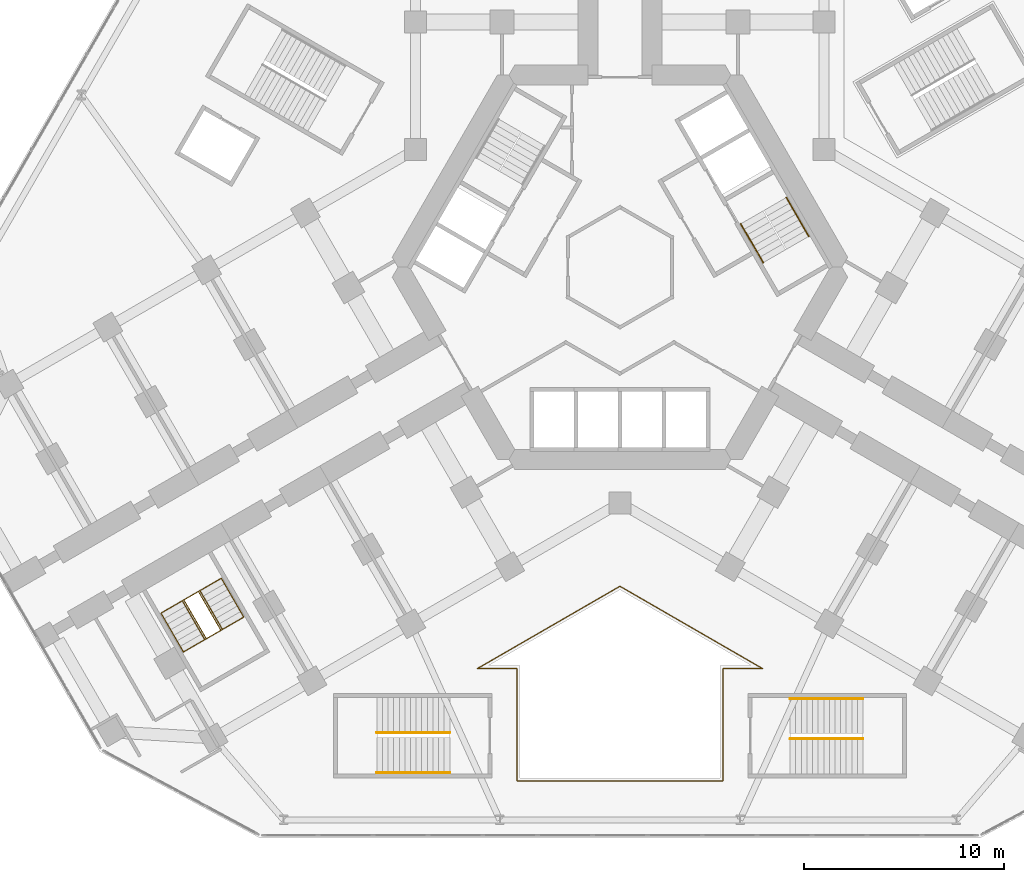
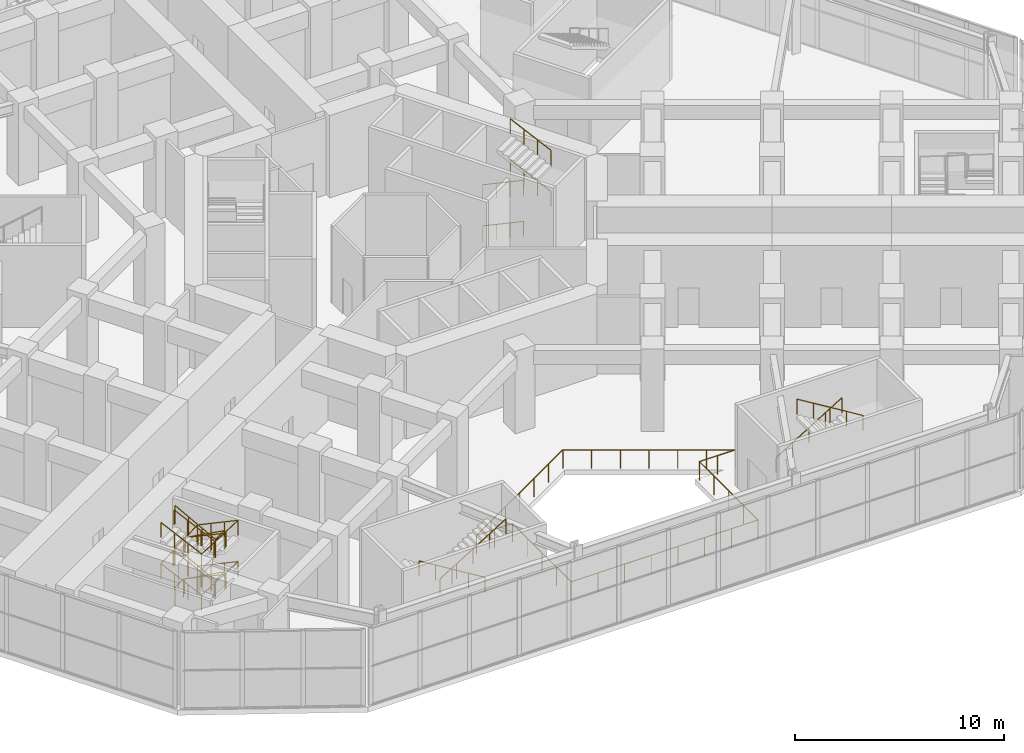
# One storey, part 20 of 22: 12 railings.
"""IFC4 building model written with IfcOpenShell, lengths in metres."""

import ifcopenshell
import ifcopenshell.guid

model = None  # the IFC model being written
_history = None  # IfcOwnerHistory: only IFC2X3 demands one
_inside = {}  # id of a spatial element -> (the spatial element, [elements in it])
_under = {}  # id of a project, library or spatial element -> (it, [spatial elements below it])
_declared = {}  # id of a project -> (the project, [libraries it declares])
_typed = {}  # id of a type object -> (the type object, [elements of that type])
_made_of = {}  # id of a material, layer set ... -> (it, [elements and type objects made of it])


def new_model(schema):
    """Start an empty IFC model of exactly this schema.

    Asked for "IFC4X3", IfcOpenShell would pick the latest addendum, in which some entities
    have other attributes; the version numbers below select the first issue.
    IFC2X3 requires an IfcOwnerHistory on every rooted entity: one is made here for all.
    """
    global model, _history
    if schema == "IFC4X3":
        model = ifcopenshell.file(schema_version=(4, 3, 0, 0))
    else:
        model = ifcopenshell.file(schema=schema)
    _inside.clear()
    _under.clear()
    _declared.clear()
    _typed.clear()
    _made_of.clear()
    _history = None
    if model.schema == "IFC2X3":
        org = make("IfcOrganization", Name="unknown")
        user = make(
            "IfcPersonAndOrganization",
            ThePerson=make("IfcPerson", FamilyName="unknown"),
            TheOrganization=org,
        )
        app = make(
            "IfcApplication",
            ApplicationDeveloper=org,
            Version="unknown",
            ApplicationFullName="unknown",
            ApplicationIdentifier="unknown",
        )
        _history = make(
            "IfcOwnerHistory",
            OwningUser=user,
            OwningApplication=app,
            ChangeAction="ADDED",
            CreationDate=0,
        )
    return model


def make(cls, **values):
    """One entity of the class cls with the attributes given. An attribute that is None is left unset."""
    return model.create_entity(
        cls, **{name: value for name, value in values.items() if value is not None}
    )


def rooted(cls, **values):
    """An entity with a GlobalId (a new one), such as an element, a storey or a relation."""
    return make(cls, GlobalId=ifcopenshell.guid.new(), OwnerHistory=_history, **values)


def si_unit(unit_type, name, prefix=None):
    """IfcSIUnit, for example si_unit("LENGTHUNIT", "METRE", prefix="MILLI")."""
    return make("IfcSIUnit", UnitType=unit_type, Prefix=prefix, Name=name)


def assignment(units):
    """IfcUnitAssignment: the units of a project."""
    return None if units is None else make("IfcUnitAssignment", Units=units)


def point(xyz):
    """IfcCartesianPoint."""
    return None if xyz is None else make("IfcCartesianPoint", Coordinates=xyz)


def direction(xyz):
    """IfcDirection."""
    return None if xyz is None else make("IfcDirection", DirectionRatios=xyz)


def frame(location, z_axis=None, x_axis=None):
    """IfcAxis2Placement3D, a coordinate frame: its origin and axes. An axis left out is left unset."""
    return make(
        "IfcAxis2Placement3D",
        Location=point(location),
        Axis=direction(z_axis),
        RefDirection=direction(x_axis),
    )


def frame_2d(location, x_axis=None):
    """IfcAxis2Placement2D, a coordinate frame in the plane: its origin and x axis."""
    return make(
        "IfcAxis2Placement2D", Location=point(location), RefDirection=direction(x_axis)
    )


def origin():
    """The frame at (0, 0, 0) with its axes left unset."""
    return frame((0.0, 0.0, 0.0))


def origin_2d():
    """The frame at (0, 0) in the plane with its x axis left unset."""
    return frame_2d((0.0, 0.0))


def place(relative_to, where):
    """IfcLocalPlacement: puts the frame where relative to a parent placement (None: the world)."""
    return make(
        "IfcLocalPlacement", PlacementRelTo=relative_to, RelativePlacement=where
    )


def context(
    kind, dimensions, precision=None, world=None, true_north=None, identifier=None
):
    """IfcGeometricRepresentationContext, for example the 3D "Model" context."""
    return make(
        "IfcGeometricRepresentationContext",
        ContextIdentifier=identifier,
        ContextType=kind,
        CoordinateSpaceDimension=dimensions,
        Precision=precision,
        WorldCoordinateSystem=world,
        TrueNorth=true_north,
    )


def subcontext(parent, identifier, kind, view, scale=None):
    """IfcGeometricRepresentationSubContext, for example "Body" below "Model"."""
    return make(
        "IfcGeometricRepresentationSubContext",
        ContextIdentifier=identifier,
        ContextType=kind,
        ParentContext=parent,
        TargetScale=scale,
        TargetView=view,
    )


def project(units=None, contexts=None):
    """IfcProject with its units and contexts."""
    return rooted(
        "IfcProject",
        Name="project",
        RepresentationContexts=contexts,
        UnitsInContext=assignment(units),
    )


def spatial(cls, under=None, at=None, **own):
    """A site, building, storey or space (cls), placed at a placement, below another one or the project."""
    s = rooted(cls, ObjectPlacement=at, **own)
    if under is not None:
        _under.setdefault(under.id(), (under, []))[1].append(s)
    return s


def profile(cls, at=None, kind="AREA", **sizes):
    """A parametric profile (cls). Its sizes go by their IFC names, for example OverallWidth=200.0."""
    return make(cls, ProfileType=kind, Position=at, **sizes)


def circle(**sizes):
    """IfcCircleProfileDef."""
    return profile("IfcCircleProfileDef", **sizes)


def extrude(swept, where, along, depth):
    """IfcExtrudedAreaSolid: the profile swept, set in the frame where, extruded along a direction by depth."""
    return make(
        "IfcExtrudedAreaSolid",
        SweptArea=swept,
        Position=where,
        ExtrudedDirection=direction(along),
        Depth=depth,
    )


def shape(context_of_items, identifier, shape_type, items):
    """IfcShapeRepresentation: the items that make up one representation, for example the "Body"."""
    return make(
        "IfcShapeRepresentation",
        ContextOfItems=context_of_items,
        RepresentationIdentifier=identifier,
        RepresentationType=shape_type,
        Items=items,
    )


def material(Name=None, Category=None):
    """IfcMaterial."""
    return make("IfcMaterial", Name=Name, Category=Category)


def made_of(thing, what):
    """Note that an element or type object is made of a material, layer set ...; save() writes the relation."""
    if what is not None:
        _made_of.setdefault(what.id(), (what, []))[1].append(thing)
    return thing


def type_object(cls, material=None, **own):
    """A type object (cls), such as IfcWallType, which elements share."""
    return made_of(rooted(cls, **own), material)


def element(
    cls,
    number,
    at=None,
    inside=None,
    cuts=None,
    type_object=None,
    material=None,
    context=None,
    identifier="Body",
    shape_type=None,
    held_by="IfcProductDefinitionShape",
    body=None,
    shapes=None,
    **own,
):
    """One element of the class cls, such as IfcWall. Its Tag is "e" and its number.

    at: its placement. inside: the storey or other place that contains it. cuts: it is an
    opening in that element (IfcRelVoidsElement). A single representation is given by context,
    identifier, shape_type and body (its items); several are given by shapes. held_by: the class
    of the entity that holds the representations. save() writes the other relations.
    """
    e = rooted(cls, Tag="e%d" % number, ObjectPlacement=at, **own)
    if body is not None:
        shapes = [shape(context, identifier, shape_type, body)]
    if shapes is not None:
        e.Representation = make(held_by, Representations=shapes)
    if inside is not None:
        _inside.setdefault(inside.id(), (inside, []))[1].append(e)
    if cuts is not None:
        rooted(
            "IfcRelVoidsElement", RelatingBuildingElement=cuts, RelatedOpeningElement=e
        )
    if type_object is not None:
        _typed.setdefault(type_object.id(), (type_object, []))[1].append(e)
    return made_of(e, material)


def aggregate(whole, parts):
    """IfcRelAggregates: a whole, such as a stair, and the parts it consists of."""
    return rooted("IfcRelAggregates", RelatingObject=whole, RelatedObjects=parts)


def save(model, path):
    """Write the relations noted so far, then the file.

    IfcRelAggregates (storeys below a building ...), IfcRelContainedInSpatialStructure (elements
    in a storey), IfcRelDefinesByType, IfcRelAssociatesMaterial and IfcRelDeclares: one each for
    every whole, place, type object, material and project.
    """
    for whole, parts in _under.values():
        aggregate(whole, parts)
    for where, things in _inside.values():
        rooted(
            "IfcRelContainedInSpatialStructure",
            RelatedElements=things,
            RelatingStructure=where,
        )
    for kind, things in _typed.values():
        rooted("IfcRelDefinesByType", RelatedObjects=things, RelatingType=kind)
    for what, things in _made_of.values():
        rooted("IfcRelAssociatesMaterial", RelatedObjects=things, RelatingMaterial=what)
    for by, libraries in _declared.values():
        rooted("IfcRelDeclares", RelatingContext=by, RelatedDefinitions=libraries)
    model.write(path)


model = new_model("IFC4")

# Units and contexts
model_context = context("Model", 3, precision=1e-05, world=origin(), true_north=direction((0.0, 1.0)))
body_context = subcontext(model_context, "Body", "Model", "MODEL_VIEW")
ifc_project = project(units=[si_unit("LENGTHUNIT", "METRE"), si_unit("AREAUNIT", "SQUARE_METRE"), si_unit("VOLUMEUNIT", "CUBIC_METRE"), si_unit("PLANEANGLEUNIT", "RADIAN"), si_unit("MASSUNIT", "GRAM", prefix="KILO")], contexts=[model_context])

# Site, building, storey
site_placement = place(None, origin())
site = spatial("IfcSite", under=ifc_project, at=site_placement, CompositionType="ELEMENT")
building_placement = place(site_placement, origin())
building = spatial("IfcBuilding", under=site, at=building_placement, Name="Kosmar Iwan School Tower", CompositionType="ELEMENT")
storey_placement = place(building_placement, frame((0.0, 0.0, 10.800048828125)))
storey = spatial("IfcBuildingStorey", under=building, at=storey_placement, Name="L02", CompositionType="ELEMENT", Elevation=10.800048828125)

# Railings
ifc_material_1 = material(Name="Black steel and laminated glass", Category="steel")
railing_type_1 = type_object("IfcRailingType", Name="Atrium balustrade 1100", PredefinedType="BALUSTRADE", material=ifc_material_1)
railing_1_placement = place(storey_placement, frame((-5.14990234375, -25.64990234375, 0.0)))
element("IfcRailing", 1, at=railing_1_placement, inside=storey, type_object=railing_type_1, Name="Atrium balustrade L02", PredefinedType="BALUSTRADE", context=body_context, shape_type="SweptSolid", body=[
    extrude(circle(Radius=0.02392578125, at=origin_2d()), frame((0.0, 0.0, 1.076171875), z_axis=(1.0, 0.0, 0.0), x_axis=(0.0, 1.0, 0.0)), (0.0, 0.0, 1.0), 10.2998046875),
    extrude(circle(Radius=0.02392578125, at=origin_2d()), frame((10.2998046875, 0.0, 1.076171875), z_axis=(0.0, 1.0, 0.0), x_axis=(-1.0, 0.0, 0.0)), (0.0, 0.0, 1.0), 5.599853515625),
    extrude(circle(Radius=0.02392578125, at=origin_2d()), frame((10.2998046875, 5.599853515625, 1.076171875), z_axis=(1.0, 0.0, 0.0), x_axis=(0.0, 1.0, 0.0)), (0.0, 0.0, 1.0), 1.977783203125),
    extrude(circle(Radius=0.02392578125, at=origin_2d()), frame((12.277587890625, 5.599853515625, 1.076171875), z_axis=(-0.86602207841, 0.500005759674, 0.0), x_axis=(-0.500005759674, -0.86602207841, 0.0)), (0.0, 0.0, 1.0), 8.23046875),
    extrude(circle(Radius=0.02392578125, at=origin_2d()), frame((5.14990234375, 9.715087890625, 1.076171875), z_axis=(-0.86602207841, -0.500005759674, 0.0), x_axis=(0.500005759674, -0.86602207841, 0.0)), (0.0, 0.0, 1.0), 8.23046875),
    extrude(circle(Radius=0.02392578125, at=origin_2d()), frame((-1.977783203125, 5.599853515625, 1.076171875), z_axis=(1.0, 0.0, 0.0), x_axis=(0.0, 1.0, 0.0)), (0.0, 0.0, 1.0), 1.977783203125),
    extrude(circle(Radius=0.02392578125, at=origin_2d()), frame((0.0, 5.599853515625, 1.076171875), z_axis=(0.0, -1.0, 0.0), x_axis=(1.0, 0.0, 0.0)), (0.0, 0.0, 1.0), 5.599853515625),
    extrude(circle(Radius=0.02099609375, at=origin_2d()), origin(), (0.0, 0.0, 1.0), 1.052001953125),
    extrude(circle(Radius=0.02099609375, at=origin_2d()), frame((1.471435546875, 0.0, 0.0)), (0.0, 0.0, 1.0), 1.052001953125),
    extrude(circle(Radius=0.02099609375, at=origin_2d()), frame((2.94287109375, 0.0, 0.0)), (0.0, 0.0, 1.0), 1.052001953125),
    extrude(circle(Radius=0.02099609375, at=origin_2d()), frame((4.414306640625, 0.0, 0.0)), (0.0, 0.0, 1.0), 1.052001953125),
    extrude(circle(Radius=0.02099609375, at=origin_2d()), frame((5.885498046875, 0.0, 0.0)), (0.0, 0.0, 1.0), 1.052001953125),
    extrude(circle(Radius=0.02099609375, at=origin_2d()), frame((7.35693359375, 0.0, 0.0)), (0.0, 0.0, 1.0), 1.052001953125),
    extrude(circle(Radius=0.02099609375, at=origin_2d()), frame((8.828369140625, 0.0, 0.0)), (0.0, 0.0, 1.0), 1.052001953125),
    extrude(circle(Radius=0.02099609375, at=origin_2d()), frame((10.2998046875, 0.0, 0.0)), (0.0, 0.0, 1.0), 1.052001953125),
    extrude(circle(Radius=0.02099609375, at=origin_2d()), frame((10.2998046875, 1.39990234375, 0.0)), (0.0, 0.0, 1.0), 1.052001953125),
    extrude(circle(Radius=0.02099609375, at=origin_2d()), frame((10.2998046875, 2.7998046875, 0.0)), (0.0, 0.0, 1.0), 1.052001953125),
    extrude(circle(Radius=0.02099609375, at=origin_2d()), frame((10.2998046875, 4.199951171875, 0.0)), (0.0, 0.0, 1.0), 1.052001953125),
    extrude(circle(Radius=0.02099609375, at=origin_2d()), frame((10.2998046875, 5.599853515625, 0.0)), (0.0, 0.0, 1.0), 1.052001953125),
    extrude(circle(Radius=0.02099609375, at=origin_2d()), frame((11.28857421875, 5.599853515625, 0.0)), (0.0, 0.0, 1.0), 1.052001953125),
    extrude(circle(Radius=0.02099609375, at=origin_2d()), frame((12.277587890625, 5.599853515625, 0.0)), (0.0, 0.0, 1.0), 1.052001953125),
    extrude(circle(Radius=0.02099609375, at=origin_2d()), frame((11.089599609375, 6.28564453125, 0.0)), (0.0, 0.0, 1.0), 1.052001953125),
    extrude(circle(Radius=0.02099609375, at=origin_2d()), frame((9.901611328125, 6.9716796875, 0.0)), (0.0, 0.0, 1.0), 1.052001953125),
    extrude(circle(Radius=0.02099609375, at=origin_2d()), frame((8.7138671875, 7.657470703125, 0.0)), (0.0, 0.0, 1.0), 1.052001953125),
    extrude(circle(Radius=0.02099609375, at=origin_2d()), frame((7.52587890625, 8.34326171875, 0.0)), (0.0, 0.0, 1.0), 1.052001953125),
    extrude(circle(Radius=0.02099609375, at=origin_2d()), frame((6.337890625, 9.029296875, 0.0)), (0.0, 0.0, 1.0), 1.052001953125),
    extrude(circle(Radius=0.02099609375, at=origin_2d()), frame((5.14990234375, 9.715087890625, 0.0)), (0.0, 0.0, 1.0), 1.052001953125),
    extrude(circle(Radius=0.02099609375, at=origin_2d()), frame((3.9619140625, 9.029296875, 0.0)), (0.0, 0.0, 1.0), 1.052001953125),
    extrude(circle(Radius=0.02099609375, at=origin_2d()), frame((2.77392578125, 8.34326171875, 0.0)), (0.0, 0.0, 1.0), 1.052001953125),
    extrude(circle(Radius=0.02099609375, at=origin_2d()), frame((1.5859375, 7.657470703125, 0.0)), (0.0, 0.0, 1.0), 1.052001953125),
    extrude(circle(Radius=0.02099609375, at=origin_2d()), frame((0.398193359375, 6.9716796875, 0.0)), (0.0, 0.0, 1.0), 1.052001953125),
    extrude(circle(Radius=0.02099609375, at=origin_2d()), frame((-0.789794921875, 6.28564453125, 0.0)), (0.0, 0.0, 1.0), 1.052001953125),
    extrude(circle(Radius=0.02099609375, at=origin_2d()), frame((-1.977783203125, 5.599853515625, 0.0)), (0.0, 0.0, 1.0), 1.052001953125),
    extrude(circle(Radius=0.02099609375, at=origin_2d()), frame((-0.98876953125, 5.599853515625, 0.0)), (0.0, 0.0, 1.0), 1.052001953125),
    extrude(circle(Radius=0.02099609375, at=origin_2d()), frame((0.0, 5.599853515625, 0.0)), (0.0, 0.0, 1.0), 1.052001953125),
    extrude(circle(Radius=0.02099609375, at=origin_2d()), frame((0.0, 4.199951171875, 0.0)), (0.0, 0.0, 1.0), 1.052001953125),
    extrude(circle(Radius=0.02099609375, at=origin_2d()), frame((0.0, 2.7998046875, 0.0)), (0.0, 0.0, 1.0), 1.052001953125),
    extrude(circle(Radius=0.02099609375, at=origin_2d()), frame((0.0, 1.39990234375, 0.0)), (0.0, 0.0, 1.0), 1.052001953125),
])
ifc_material_2 = material(Name="Black steel", Category="steel")
railing_type_2 = type_object("IfcRailingType", Name="Stair handrail 900", PredefinedType="HANDRAIL", material=ifc_material_2)
railing_2_placement = place(storey_placement, frame((6.03466796875, 2.167724609375, 0.14990234375)))
element("IfcRailing", 2, at=railing_2_placement, inside=storey, type_object=railing_type_2, Name="Handrail ST1 flight 1", PredefinedType="HANDRAIL", context=body_context, shape_type="SweptSolid", body=[
    extrude(circle(Radius=0.02392578125, at=origin_2d()), frame((0.0, 0.0, 0.8759765625), z_axis=(0.45267848932, -0.784169015945, 0.424453931233), x_axis=(0.866054910533, 0.49994888933, 0.0)), (0.0, 0.0, 1.0), 2.473876953125),
    extrude(circle(Radius=0.02099609375, at=origin_2d()), origin(), (0.0, 0.0, 1.0), 0.851806640625),
    extrude(circle(Radius=0.02099609375, at=origin_2d()), frame((0.373291015625, -0.646728515625, 0.35009765625)), (0.0, 0.0, 1.0), 0.851806640625),
    extrude(circle(Radius=0.02099609375, at=origin_2d()), frame((0.74658203125, -1.293212890625, 0.699951171875)), (0.0, 0.0, 1.0), 0.851806640625),
    extrude(circle(Radius=0.02099609375, at=origin_2d()), frame((1.119873046875, -1.93994140625, 1.050048828125)), (0.0, 0.0, 1.0), 0.851806640625),
])
railing_3_placement = place(storey_placement, frame((9.432373046875, 1.542724609375, 1.349853515625)))
element("IfcRailing", 3, at=railing_3_placement, inside=storey, type_object=railing_type_2, Name="Handrail ST1 flight 2", PredefinedType="HANDRAIL", context=body_context, shape_type="SweptSolid", body=[
    extrude(circle(Radius=0.02392578125, at=origin_2d()), frame((0.0, 0.0, 0.8759765625), z_axis=(-0.452756948549, 0.784133982819, 0.424434968551), x_axis=(-0.866007717299, -0.500030632641, 0.0)), (0.0, 0.0, 1.0), 2.473876953125),
    extrude(circle(Radius=0.02099609375, at=origin_2d()), origin(), (0.0, 0.0, 1.0), 0.851806640625),
    extrude(circle(Radius=0.02099609375, at=origin_2d()), frame((-0.373291015625, 0.646728515625, 0.35009765625)), (0.0, 0.0, 1.0), 0.851806640625),
    extrude(circle(Radius=0.02099609375, at=origin_2d()), frame((-0.746826171875, 1.293212890625, 0.699951171875)), (0.0, 0.0, 1.0), 0.851806640625),
    extrude(circle(Radius=0.02099609375, at=origin_2d()), frame((-1.1201171875, 1.93994140625, 1.050048828125)), (0.0, 0.0, 1.0), 0.851806640625),
])
railing_4_placement = place(storey_placement, frame((6.03466796875, 2.167724609375, 2.550048828125)))
element("IfcRailing", 4, at=railing_4_placement, inside=storey, type_object=railing_type_2, Name="Handrail ST1 flight 3", PredefinedType="HANDRAIL", context=body_context, shape_type="SweptSolid", body=[
    extrude(circle(Radius=0.02392578125, at=origin_2d()), frame((0.0, 0.0, 0.8759765625), z_axis=(0.452697450193, -0.784201861617, 0.424373018494), x_axis=(0.866054910533, 0.49994888933, 0.0)), (0.0, 0.0, 1.0), 2.473876953125),
    extrude(circle(Radius=0.02099609375, at=origin_2d()), origin(), (0.0, 0.0, 1.0), 0.851806640625),
    extrude(circle(Radius=0.02099609375, at=origin_2d()), frame((0.373291015625, -0.646728515625, 0.349853515625)), (0.0, 0.0, 1.0), 0.851806640625),
    extrude(circle(Radius=0.02099609375, at=origin_2d()), frame((0.74658203125, -1.293212890625, 0.699951171875)), (0.0, 0.0, 1.0), 0.851806640625),
    extrude(circle(Radius=0.02099609375, at=origin_2d()), frame((1.119873046875, -1.93994140625, 1.0498046875)), (0.0, 0.0, 1.0), 0.851806640625),
])
railing_5_placement = place(storey_placement, frame((9.432373046875, 1.542724609375, 3.75)))
element("IfcRailing", 5, at=railing_5_placement, inside=storey, type_object=railing_type_2, Name="Handrail ST1 flight 4", PredefinedType="HANDRAIL", context=body_context, shape_type="SweptSolid", body=[
    extrude(circle(Radius=0.02392578125, at=origin_2d()), frame((0.0, 0.0, 0.8759765625), z_axis=(-0.452756948549, 0.784133982819, 0.424434968551), x_axis=(-0.866007717299, -0.500030632641, 0.0)), (0.0, 0.0, 1.0), 2.473876953125),
    extrude(circle(Radius=0.02099609375, at=origin_2d()), origin(), (0.0, 0.0, 1.0), 0.851806640625),
    extrude(circle(Radius=0.02099609375, at=origin_2d()), frame((-0.373291015625, 0.646728515625, 0.35009765625)), (0.0, 0.0, 1.0), 0.851806640625),
    extrude(circle(Radius=0.02099609375, at=origin_2d()), frame((-0.746826171875, 1.293212890625, 0.699951171875)), (0.0, 0.0, 1.0), 0.851806640625),
    extrude(circle(Radius=0.02099609375, at=origin_2d()), frame((-1.1201171875, 1.93994140625, 1.050048828125)), (0.0, 0.0, 1.0), 0.851806640625),
])
railing_6_placement = place(storey_placement, frame((-19.9091796875, -15.5361328125, 0.14990234375)))
element("IfcRailing", 6, at=railing_6_placement, inside=storey, type_object=railing_type_2, Name="Handrail stair WS2 L02 wall side", PredefinedType="HANDRAIL", context=body_context, shape_type="SweptSolid", body=[
    extrude(circle(Radius=0.02392578125, at=origin_2d()), frame((0.0, 0.0, 0.8759765625), z_axis=(0.45267848932, -0.784169015945, 0.424453931233), x_axis=(0.866054910533, 0.49994888933, 0.0)), (0.0, 0.0, 1.0), 2.473876953125),
    extrude(circle(Radius=0.02392578125, at=origin_2d()), frame((1.119873046875, -1.93994140625, 1.92578125), z_axis=(-0.865217314736, -0.499546646316, 0.043036570905), x_axis=(0.500009906705, -0.86601968407, 0.0)), (0.0, 0.0, 1.0), 3.483154296875),
    extrude(circle(Radius=0.02392578125, at=origin_2d()), frame((-1.893798828125, -3.679931640625, 2.07568359375), z_axis=(-0.452756948549, 0.784133982819, 0.424434968551), x_axis=(-0.866007717299, -0.500030632641, 0.0)), (0.0, 0.0, 1.0), 2.473876953125),
    extrude(circle(Radius=0.02392578125, at=origin_2d()), frame((-3.013916015625, -1.739990234375, 3.1259765625), z_axis=(0.865232322426, 0.499514845033, 0.043103918857), x_axis=(-0.499979528911, 0.866037222451, 0.0)), (0.0, 0.0, 1.0), 3.4833984375),
    extrude(circle(Radius=0.02392578125, at=origin_2d()), frame((0.0, 0.0, 3.27587890625), z_axis=(0.452697450193, -0.784201861617, 0.424373018494), x_axis=(0.866054910533, 0.49994888933, 0.0)), (0.0, 0.0, 1.0), 2.473876953125),
    extrude(circle(Radius=0.02392578125, at=origin_2d()), frame((1.119873046875, -1.93994140625, 4.32568359375), z_axis=(-0.865214702673, -0.499545138201, 0.043106532902), x_axis=(0.500009906705, -0.86601968407, 0.0)), (0.0, 0.0, 1.0), 3.483154296875),
    extrude(circle(Radius=0.02392578125, at=origin_2d()), frame((-1.893798828125, -3.679931640625, 4.47607421875), z_axis=(-0.452756948549, 0.784133982819, 0.424434968551), x_axis=(-0.866007717299, -0.500030632641, 0.0)), (0.0, 0.0, 1.0), 2.473876953125),
    extrude(circle(Radius=0.02099609375, at=origin_2d()), origin(), (0.0, 0.0, 1.0), 0.851806640625),
    extrude(circle(Radius=0.02099609375, at=origin_2d()), frame((0.373291015625, -0.646728515625, 0.35009765625)), (0.0, 0.0, 1.0), 0.851806640625),
    extrude(circle(Radius=0.02099609375, at=origin_2d()), frame((0.74658203125, -1.293212890625, 0.699951171875)), (0.0, 0.0, 1.0), 0.851806640625),
    extrude(circle(Radius=0.02099609375, at=origin_2d()), frame((1.119873046875, -1.93994140625, 1.050048828125)), (0.0, 0.0, 1.0), 0.851806640625),
    extrude(circle(Radius=0.02099609375, at=origin_2d()), frame((0.115234375, -2.52001953125, 1.10009765625)), (0.0, 0.0, 1.0), 0.851806640625),
    extrude(circle(Radius=0.02099609375, at=origin_2d()), frame((-0.88916015625, -3.099853515625, 1.14990234375)), (0.0, 0.0, 1.0), 0.851806640625),
    extrude(circle(Radius=0.02099609375, at=origin_2d()), frame((-1.893798828125, -3.679931640625, 1.199951171875)), (0.0, 0.0, 1.0), 0.851806640625),
    extrude(circle(Radius=0.02099609375, at=origin_2d()), frame((-2.26708984375, -3.033203125, 1.550048828125)), (0.0, 0.0, 1.0), 0.851806640625),
    extrude(circle(Radius=0.02099609375, at=origin_2d()), frame((-2.640625, -2.38671875, 1.89990234375)), (0.0, 0.0, 1.0), 0.851806640625),
    extrude(circle(Radius=0.02099609375, at=origin_2d()), frame((-3.013916015625, -1.739990234375, 2.25)), (0.0, 0.0, 1.0), 0.851806640625),
    extrude(circle(Radius=0.02099609375, at=origin_2d()), frame((-2.00927734375, -1.159912109375, 2.300048828125)), (0.0, 0.0, 1.0), 0.851806640625),
    extrude(circle(Radius=0.02099609375, at=origin_2d()), frame((-1.004638671875, -0.580078125, 2.35009765625)), (0.0, 0.0, 1.0), 0.851806640625),
    extrude(circle(Radius=0.02099609375, at=origin_2d()), frame((0.0, 0.0, 2.400146484375)), (0.0, 0.0, 1.0), 0.851806640625),
    extrude(circle(Radius=0.02099609375, at=origin_2d()), frame((0.373291015625, -0.646728515625, 2.75)), (0.0, 0.0, 1.0), 0.851806640625),
    extrude(circle(Radius=0.02099609375, at=origin_2d()), frame((0.74658203125, -1.293212890625, 3.10009765625)), (0.0, 0.0, 1.0), 0.851806640625),
    extrude(circle(Radius=0.02099609375, at=origin_2d()), frame((1.119873046875, -1.93994140625, 3.449951171875)), (0.0, 0.0, 1.0), 0.851806640625),
    extrude(circle(Radius=0.02099609375, at=origin_2d()), frame((0.115234375, -2.52001953125, 3.5)), (0.0, 0.0, 1.0), 0.851806640625),
    extrude(circle(Radius=0.02099609375, at=origin_2d()), frame((-0.88916015625, -3.099853515625, 3.550048828125)), (0.0, 0.0, 1.0), 0.851806640625),
    extrude(circle(Radius=0.02099609375, at=origin_2d()), frame((-1.893798828125, -3.679931640625, 3.60009765625)), (0.0, 0.0, 1.0), 0.851806640625),
    extrude(circle(Radius=0.02099609375, at=origin_2d()), frame((-2.26708984375, -3.033203125, 3.9501953125)), (0.0, 0.0, 1.0), 0.851806640625),
    extrude(circle(Radius=0.02099609375, at=origin_2d()), frame((-2.640625, -2.38671875, 4.300048828125)), (0.0, 0.0, 1.0), 0.851806640625),
    extrude(circle(Radius=0.02099609375, at=origin_2d()), frame((-3.013916015625, -1.739990234375, 4.650146484375)), (0.0, 0.0, 1.0), 0.851806640625),
])
railing_7_placement = place(storey_placement, frame((-20.974609375, -16.151123046875, 0.14990234375)))
element("IfcRailing", 7, at=railing_7_placement, inside=storey, type_object=railing_type_2, Name="Handrail stair WS2 L02 well side", PredefinedType="HANDRAIL", context=body_context, shape_type="SweptSolid", body=[
    extrude(circle(Radius=0.02392578125, at=origin_2d()), frame((0.0, 0.0, 0.8759765625), z_axis=(0.452756948549, -0.784133982819, 0.424434968551), x_axis=(0.866007717299, 0.500030632641, 0.0)), (0.0, 0.0, 1.0), 2.473876953125),
    extrude(circle(Radius=0.02392578125, at=origin_2d()), frame((1.1201171875, -1.93994140625, 1.92578125), z_axis=(-0.856806295441, -0.494712092641, 0.145406043505), x_axis=(0.500026340207, -0.866010195725, 0.0)), (0.0, 0.0, 1.0), 1.031005859375),
    extrude(circle(Radius=0.02392578125, at=origin_2d()), frame((0.23681640625, -2.449951171875, 2.07568359375), z_axis=(-0.452756948549, 0.784133982819, 0.424434968551), x_axis=(-0.866007717299, -0.500030632641, 0.0)), (0.0, 0.0, 1.0), 2.473876953125),
    extrude(circle(Radius=0.02392578125, at=origin_2d()), frame((-0.88330078125, -0.510009765625, 3.1259765625), z_axis=(0.856776769057, 0.494695044378, 0.14563784217), x_axis=(-0.500026340207, 0.866010195725, 0.0)), (0.0, 0.0, 1.0), 1.031005859375),
    extrude(circle(Radius=0.02392578125, at=origin_2d()), frame((0.0, 0.0, 3.27587890625), z_axis=(0.452775911014, -0.784166824089, 0.424354057838), x_axis=(0.866007717299, 0.500030632641, 0.0)), (0.0, 0.0, 1.0), 2.473876953125),
    extrude(circle(Radius=0.02392578125, at=origin_2d()), frame((1.1201171875, -1.93994140625, 4.32568359375), z_axis=(-0.856776769057, -0.494695044378, 0.14563784217), x_axis=(0.500026340207, -0.866010195725, 0.0)), (0.0, 0.0, 1.0), 1.031005859375),
    extrude(circle(Radius=0.02392578125, at=origin_2d()), frame((0.23681640625, -2.449951171875, 4.47607421875), z_axis=(-0.452756948549, 0.784133982819, 0.424434968551), x_axis=(-0.866007717299, -0.500030632641, 0.0)), (0.0, 0.0, 1.0), 2.473876953125),
    extrude(circle(Radius=0.02099609375, at=origin_2d()), origin(), (0.0, 0.0, 1.0), 0.851806640625),
    extrude(circle(Radius=0.02099609375, at=origin_2d()), frame((0.373291015625, -0.646728515625, 0.35009765625)), (0.0, 0.0, 1.0), 0.851806640625),
    extrude(circle(Radius=0.02099609375, at=origin_2d()), frame((0.746826171875, -1.293212890625, 0.699951171875)), (0.0, 0.0, 1.0), 0.851806640625),
    extrude(circle(Radius=0.02099609375, at=origin_2d()), frame((1.1201171875, -1.93994140625, 1.050048828125)), (0.0, 0.0, 1.0), 0.851806640625),
    extrude(circle(Radius=0.02099609375, at=origin_2d()), frame((0.23681640625, -2.449951171875, 1.199951171875)), (0.0, 0.0, 1.0), 0.851806640625),
    extrude(circle(Radius=0.02099609375, at=origin_2d()), frame((-0.136474609375, -1.80322265625, 1.550048828125)), (0.0, 0.0, 1.0), 0.851806640625),
    extrude(circle(Radius=0.02099609375, at=origin_2d()), frame((-0.510009765625, -1.15673828125, 1.89990234375)), (0.0, 0.0, 1.0), 0.851806640625),
    extrude(circle(Radius=0.02099609375, at=origin_2d()), frame((-0.88330078125, -0.510009765625, 2.25)), (0.0, 0.0, 1.0), 0.851806640625),
    extrude(circle(Radius=0.02099609375, at=origin_2d()), frame((0.0, 0.0, 2.400146484375)), (0.0, 0.0, 1.0), 0.851806640625),
    extrude(circle(Radius=0.02099609375, at=origin_2d()), frame((0.373291015625, -0.646728515625, 2.75)), (0.0, 0.0, 1.0), 0.851806640625),
    extrude(circle(Radius=0.02099609375, at=origin_2d()), frame((0.746826171875, -1.293212890625, 3.10009765625)), (0.0, 0.0, 1.0), 0.851806640625),
    extrude(circle(Radius=0.02099609375, at=origin_2d()), frame((1.1201171875, -1.93994140625, 3.449951171875)), (0.0, 0.0, 1.0), 0.851806640625),
    extrude(circle(Radius=0.02099609375, at=origin_2d()), frame((0.23681640625, -2.449951171875, 3.60009765625)), (0.0, 0.0, 1.0), 0.851806640625),
    extrude(circle(Radius=0.02099609375, at=origin_2d()), frame((-0.136474609375, -1.80322265625, 3.9501953125)), (0.0, 0.0, 1.0), 0.851806640625),
    extrude(circle(Radius=0.02099609375, at=origin_2d()), frame((-0.510009765625, -1.15673828125, 4.300048828125)), (0.0, 0.0, 1.0), 0.851806640625),
    extrude(circle(Radius=0.02099609375, at=origin_2d()), frame((-0.88330078125, -0.510009765625, 4.650146484375)), (0.0, 0.0, 1.0), 0.851806640625),
])
railing_8_placement = place(storey_placement, frame((-8.5, -23.239990234375, 0.17138671875)))
element("IfcRailing", 8, at=railing_8_placement, inside=storey, type_object=railing_type_2, Name="Handrail SS1 flight 1", PredefinedType="HANDRAIL", context=body_context, shape_type="SweptSolid", body=[
    extrude(circle(Radius=0.02392578125, at=origin_2d()), frame((0.0, 0.0, 0.8759765625), z_axis=(-0.852850264322, 0.0, 0.5221555579), x_axis=(0.0, -1.0, 0.0)), (0.0, 0.0, 1.0), 4.267822265625),
    extrude(circle(Radius=0.02099609375, at=origin_2d()), origin(), (0.0, 0.0, 1.0), 0.851806640625),
    extrude(circle(Radius=0.02099609375, at=origin_2d()), frame((-0.909912109375, 0.0, 0.55712890625)), (0.0, 0.0, 1.0), 0.851806640625),
    extrude(circle(Radius=0.02099609375, at=origin_2d()), frame((-1.81982421875, 0.0, 1.1142578125)), (0.0, 0.0, 1.0), 0.851806640625),
    extrude(circle(Radius=0.02099609375, at=origin_2d()), frame((-2.72998046875, 0.0, 1.67138671875)), (0.0, 0.0, 1.0), 0.851806640625),
    extrude(circle(Radius=0.02099609375, at=origin_2d()), frame((-3.639892578125, 0.0, 2.228515625)), (0.0, 0.0, 1.0), 0.851806640625),
])
railing_9_placement = place(storey_placement, frame((-12.139892578125, -25.239990234375, 2.5712890625)))
element("IfcRailing", 9, at=railing_9_placement, inside=storey, type_object=railing_type_2, Name="Handrail SS1 flight 2", PredefinedType="HANDRAIL", context=body_context, shape_type="SweptSolid", body=[
    extrude(circle(Radius=0.02392578125, at=origin_2d()), frame((0.0, 0.0, 0.8759765625), z_axis=(0.852824790078, 0.0, 0.522197163366), x_axis=(0.0, 1.0, 0.0)), (0.0, 0.0, 1.0), 4.26806640625),
    extrude(circle(Radius=0.02099609375, at=origin_2d()), origin(), (0.0, 0.0, 1.0), 0.851806640625),
    extrude(circle(Radius=0.02099609375, at=origin_2d()), frame((0.909912109375, 0.0, 0.55712890625)), (0.0, 0.0, 1.0), 0.851806640625),
    extrude(circle(Radius=0.02099609375, at=origin_2d()), frame((1.81982421875, 0.0, 1.1142578125)), (0.0, 0.0, 1.0), 0.851806640625),
    extrude(circle(Radius=0.02099609375, at=origin_2d()), frame((2.72998046875, 0.0, 1.671630859375)), (0.0, 0.0, 1.0), 0.851806640625),
    extrude(circle(Radius=0.02099609375, at=origin_2d()), frame((3.639892578125, 0.0, 2.228759765625)), (0.0, 0.0, 1.0), 0.851806640625),
])
railing_10_placement = place(storey_placement, frame((8.5, -21.56005859375, 0.17138671875)))
element("IfcRailing", 10, at=railing_10_placement, inside=storey, type_object=railing_type_2, Name="Handrail SS2 flight 1", PredefinedType="HANDRAIL", context=body_context, shape_type="SweptSolid", body=[
    extrude(circle(Radius=0.02392578125, at=origin_2d()), frame((0.0, 0.0, 0.8759765625), z_axis=(0.852850264322, 0.0, 0.5221555579), x_axis=(0.0, 1.0, 0.0)), (0.0, 0.0, 1.0), 4.267822265625),
    extrude(circle(Radius=0.02099609375, at=origin_2d()), origin(), (0.0, 0.0, 1.0), 0.851806640625),
    extrude(circle(Radius=0.02099609375, at=origin_2d()), frame((0.909912109375, 0.0, 0.55712890625)), (0.0, 0.0, 1.0), 0.851806640625),
    extrude(circle(Radius=0.02099609375, at=origin_2d()), frame((1.81982421875, 0.0, 1.1142578125)), (0.0, 0.0, 1.0), 0.851806640625),
    extrude(circle(Radius=0.02099609375, at=origin_2d()), frame((2.72998046875, 0.0, 1.67138671875)), (0.0, 0.0, 1.0), 0.851806640625),
    extrude(circle(Radius=0.02099609375, at=origin_2d()), frame((3.639892578125, 0.0, 2.228515625)), (0.0, 0.0, 1.0), 0.851806640625),
])
railing_11_placement = place(storey_placement, frame((12.139892578125, -23.56005859375, 2.5712890625)))
element("IfcRailing", 11, at=railing_11_placement, inside=storey, type_object=railing_type_2, Name="Handrail SS2 flight 2", PredefinedType="HANDRAIL", context=body_context, shape_type="SweptSolid", body=[
    extrude(circle(Radius=0.02392578125, at=origin_2d()), frame((0.0, 0.0, 0.8759765625), z_axis=(-0.852824790078, 0.0, 0.522197163366), x_axis=(0.0, -1.0, 0.0)), (0.0, 0.0, 1.0), 4.26806640625),
    extrude(circle(Radius=0.02099609375, at=origin_2d()), origin(), (0.0, 0.0, 1.0), 0.851806640625),
    extrude(circle(Radius=0.02099609375, at=origin_2d()), frame((-0.909912109375, 0.0, 0.55712890625)), (0.0, 0.0, 1.0), 0.851806640625),
    extrude(circle(Radius=0.02099609375, at=origin_2d()), frame((-1.81982421875, 0.0, 1.1142578125)), (0.0, 0.0, 1.0), 0.851806640625),
    extrude(circle(Radius=0.02099609375, at=origin_2d()), frame((-2.72998046875, 0.0, 1.671630859375)), (0.0, 0.0, 1.0), 0.851806640625),
    extrude(circle(Radius=0.02099609375, at=origin_2d()), frame((-3.639892578125, 0.0, 2.228759765625)), (0.0, 0.0, 1.0), 0.851806640625),
])
ifc_material_3 = material(Name="Black steel", Category="steel")
railing_type_3 = type_object("IfcRailingType", Name="Stair well guard 1100", PredefinedType="GUARDRAIL", material=ifc_material_3)
railing_12_placement = place(storey_placement, frame((-21.780029296875, -16.6162109375, 0.0)))
element("IfcRailing", 12, at=railing_12_placement, inside=storey, type_object=railing_type_3, Name="Stair WS2 L02 well guard", PredefinedType="GUARDRAIL", context=body_context, shape_type="SweptSolid", body=[
    extrude(circle(Radius=0.02392578125, at=origin_2d()), frame((0.0, 0.0, 1.076171875), z_axis=(0.865962960534, 0.500108139288, 0.0), x_axis=(-0.500108139288, 0.865962960534, 0.0)), (0.0, 0.0, 1.0), 0.840087890625),
    extrude(circle(Radius=0.02392578125, at=origin_2d()), frame((0.7275390625, 0.420166015625, 1.076171875), z_axis=(0.440775248085, -0.763382764011, 0.472190572), x_axis=(0.866007717299, 0.500030632641, 0.0)), (0.0, 0.0, 1.0), 2.541259765625),
    extrude(circle(Radius=0.02392578125, at=origin_2d()), frame((1.84765625, -1.519775390625, 2.27587890625), z_axis=(-0.866088799389, -0.499890179513, 0.0), x_axis=(0.499890179513, -0.866088799389, 0.0)), (0.0, 0.0, 1.0), 0.840087890625),
    extrude(circle(Radius=0.02392578125, at=origin_2d()), frame((1.1201171875, -1.939697265625, 2.27587890625), z_axis=(-0.440807575709, 0.763342674152, 0.472225203707), x_axis=(-0.865980463445, -0.500077830873, 0.0)), (0.0, 0.0, 1.0), 2.541015625),
    extrude(circle(Radius=0.02392578125, at=origin_2d()), frame((0.0, 0.0, 3.47607421875), z_axis=(0.865962960534, 0.500108139288, 0.0), x_axis=(-0.500108139288, 0.865962960534, 0.0)), (0.0, 0.0, 1.0), 0.840087890625),
    extrude(circle(Radius=0.02392578125, at=origin_2d()), frame((0.7275390625, 0.420166015625, 3.47607421875), z_axis=(0.440775248085, -0.763382764011, 0.472190572), x_axis=(0.866007717299, 0.500030632641, 0.0)), (0.0, 0.0, 1.0), 2.541259765625),
    extrude(circle(Radius=0.02392578125, at=origin_2d()), frame((1.84765625, -1.519775390625, 4.67578125), z_axis=(-0.866088799389, -0.499890179513, 0.0), x_axis=(0.499890179513, -0.866088799389, 0.0)), (0.0, 0.0, 1.0), 0.840087890625),
    extrude(circle(Radius=0.02392578125, at=origin_2d()), frame((1.1201171875, -1.939697265625, 4.67578125), z_axis=(-0.440787575319, 0.763308039648, 0.472299851845), x_axis=(-0.865980463445, -0.500077830873, 0.0)), (0.0, 0.0, 1.0), 2.541259765625),
    extrude(circle(Radius=0.02099609375, at=origin_2d()), origin(), (0.0, 0.0, 1.0), 1.052001953125),
    extrude(circle(Radius=0.02099609375, at=origin_2d()), frame((0.7275390625, 0.420166015625, 0.0)), (0.0, 0.0, 1.0), 1.052001953125),
    extrude(circle(Radius=0.02099609375, at=origin_2d()), frame((1.100830078125, -0.2265625, 0.39990234375)), (0.0, 0.0, 1.0), 1.052001953125),
    extrude(circle(Radius=0.02099609375, at=origin_2d()), frame((1.474365234375, -0.873046875, 0.800048828125)), (0.0, 0.0, 1.0), 1.052001953125),
    extrude(circle(Radius=0.02099609375, at=origin_2d()), frame((1.84765625, -1.519775390625, 1.199951171875)), (0.0, 0.0, 1.0), 1.052001953125),
    extrude(circle(Radius=0.02099609375, at=origin_2d()), frame((1.1201171875, -1.939697265625, 1.199951171875)), (0.0, 0.0, 1.0), 1.052001953125),
    extrude(circle(Radius=0.02099609375, at=origin_2d()), frame((0.746826171875, -1.293212890625, 1.599853515625)), (0.0, 0.0, 1.0), 1.052001953125),
    extrude(circle(Radius=0.02099609375, at=origin_2d()), frame((0.373291015625, -0.646484375, 2.0)), (0.0, 0.0, 1.0), 1.052001953125),
    extrude(circle(Radius=0.02099609375, at=origin_2d()), frame((0.0, 0.0, 2.39990234375)), (0.0, 0.0, 1.0), 1.052001953125),
    extrude(circle(Radius=0.02099609375, at=origin_2d()), frame((0.7275390625, 0.420166015625, 2.39990234375)), (0.0, 0.0, 1.0), 1.052001953125),
    extrude(circle(Radius=0.02099609375, at=origin_2d()), frame((1.100830078125, -0.2265625, 2.7998046875)), (0.0, 0.0, 1.0), 1.052001953125),
    extrude(circle(Radius=0.02099609375, at=origin_2d()), frame((1.474365234375, -0.873046875, 3.199951171875)), (0.0, 0.0, 1.0), 1.052001953125),
    extrude(circle(Radius=0.02099609375, at=origin_2d()), frame((1.84765625, -1.519775390625, 3.599853515625)), (0.0, 0.0, 1.0), 1.052001953125),
    extrude(circle(Radius=0.02099609375, at=origin_2d()), frame((1.1201171875, -1.939697265625, 3.599853515625)), (0.0, 0.0, 1.0), 1.052001953125),
    extrude(circle(Radius=0.02099609375, at=origin_2d()), frame((0.746826171875, -1.293212890625, 4.0)), (0.0, 0.0, 1.0), 1.052001953125),
    extrude(circle(Radius=0.02099609375, at=origin_2d()), frame((0.373291015625, -0.646484375, 4.39990234375)), (0.0, 0.0, 1.0), 1.052001953125),
    extrude(circle(Radius=0.02099609375, at=origin_2d()), frame((0.0, 0.0, 4.800048828125)), (0.0, 0.0, 1.0), 1.052001953125),
])

save(model, "model.ifc")
